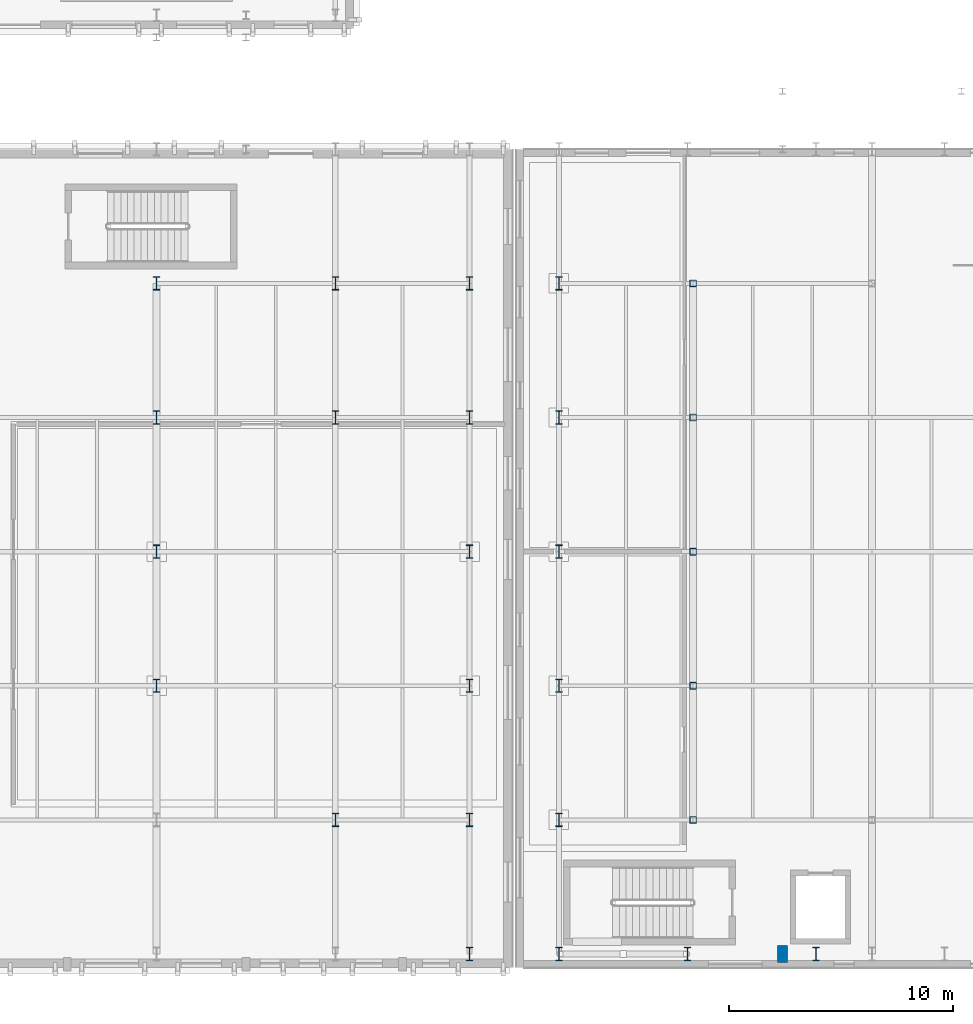
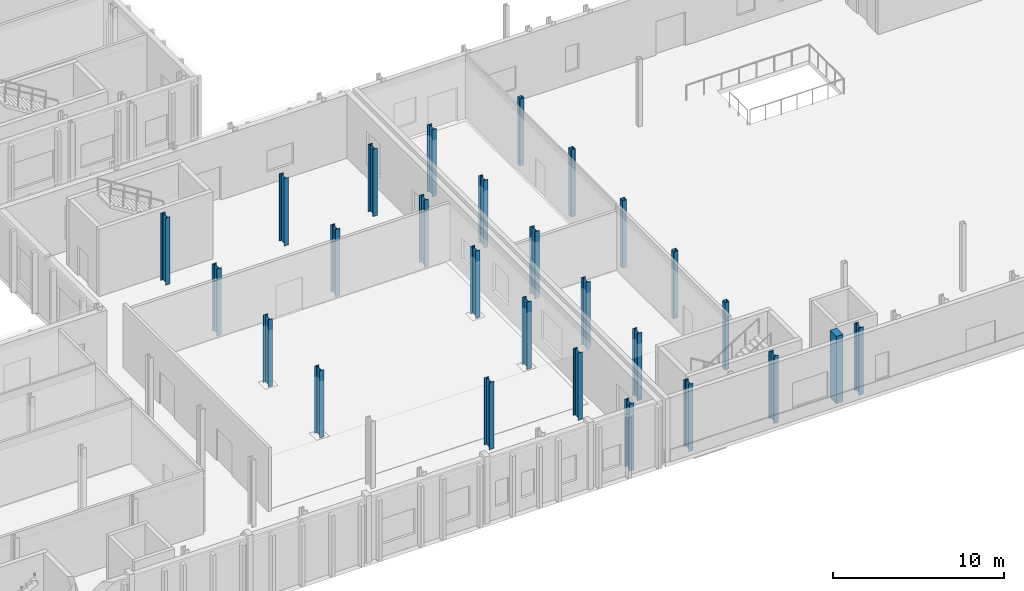
# One storey, part 2 of 60: 27 columns.
"""IFC4 building model written with IfcOpenShell, lengths in metres."""

import ifcopenshell
import ifcopenshell.guid

model = None  # the IFC model being written
_history = None  # IfcOwnerHistory: only IFC2X3 demands one
_inside = {}  # id of a spatial element -> (the spatial element, [elements in it])
_under = {}  # id of a project, library or spatial element -> (it, [spatial elements below it])
_declared = {}  # id of a project -> (the project, [libraries it declares])
_typed = {}  # id of a type object -> (the type object, [elements of that type])
_made_of = {}  # id of a material, layer set ... -> (it, [elements and type objects made of it])


def new_model(schema):
    """Start an empty IFC model of exactly this schema.

    Asked for "IFC4X3", IfcOpenShell would pick the latest addendum, in which some entities
    have other attributes; the version numbers below select the first issue.
    IFC2X3 requires an IfcOwnerHistory on every rooted entity: one is made here for all.
    """
    global model, _history
    if schema == "IFC4X3":
        model = ifcopenshell.file(schema_version=(4, 3, 0, 0))
    else:
        model = ifcopenshell.file(schema=schema)
    _inside.clear()
    _under.clear()
    _declared.clear()
    _typed.clear()
    _made_of.clear()
    _history = None
    if model.schema == "IFC2X3":
        org = make("IfcOrganization", Name="unknown")
        user = make(
            "IfcPersonAndOrganization",
            ThePerson=make("IfcPerson", FamilyName="unknown"),
            TheOrganization=org,
        )
        app = make(
            "IfcApplication",
            ApplicationDeveloper=org,
            Version="unknown",
            ApplicationFullName="unknown",
            ApplicationIdentifier="unknown",
        )
        _history = make(
            "IfcOwnerHistory",
            OwningUser=user,
            OwningApplication=app,
            ChangeAction="ADDED",
            CreationDate=0,
        )
    return model


def make(cls, **values):
    """One entity of the class cls with the attributes given. An attribute that is None is left unset."""
    return model.create_entity(
        cls, **{name: value for name, value in values.items() if value is not None}
    )


def rooted(cls, **values):
    """An entity with a GlobalId (a new one), such as an element, a storey or a relation."""
    return make(cls, GlobalId=ifcopenshell.guid.new(), OwnerHistory=_history, **values)


def si_unit(unit_type, name, prefix=None):
    """IfcSIUnit, for example si_unit("LENGTHUNIT", "METRE", prefix="MILLI")."""
    return make("IfcSIUnit", UnitType=unit_type, Prefix=prefix, Name=name)


def assignment(units):
    """IfcUnitAssignment: the units of a project."""
    return None if units is None else make("IfcUnitAssignment", Units=units)


def point(xyz):
    """IfcCartesianPoint."""
    return None if xyz is None else make("IfcCartesianPoint", Coordinates=xyz)


def direction(xyz):
    """IfcDirection."""
    return None if xyz is None else make("IfcDirection", DirectionRatios=xyz)


def frame(location, z_axis=None, x_axis=None):
    """IfcAxis2Placement3D, a coordinate frame: its origin and axes. An axis left out is left unset."""
    return make(
        "IfcAxis2Placement3D",
        Location=point(location),
        Axis=direction(z_axis),
        RefDirection=direction(x_axis),
    )


def frame_2d(location, x_axis=None):
    """IfcAxis2Placement2D, a coordinate frame in the plane: its origin and x axis."""
    return make(
        "IfcAxis2Placement2D", Location=point(location), RefDirection=direction(x_axis)
    )


def origin():
    """The frame at (0, 0, 0) with its axes left unset."""
    return frame((0.0, 0.0, 0.0))


def origin_2d():
    """The frame at (0, 0) in the plane with its x axis left unset."""
    return frame_2d((0.0, 0.0))


def place(relative_to, where):
    """IfcLocalPlacement: puts the frame where relative to a parent placement (None: the world)."""
    return make(
        "IfcLocalPlacement", PlacementRelTo=relative_to, RelativePlacement=where
    )


def context(
    kind, dimensions, precision=None, world=None, true_north=None, identifier=None
):
    """IfcGeometricRepresentationContext, for example the 3D "Model" context."""
    return make(
        "IfcGeometricRepresentationContext",
        ContextIdentifier=identifier,
        ContextType=kind,
        CoordinateSpaceDimension=dimensions,
        Precision=precision,
        WorldCoordinateSystem=world,
        TrueNorth=true_north,
    )


def subcontext(parent, identifier, kind, view, scale=None):
    """IfcGeometricRepresentationSubContext, for example "Body" below "Model"."""
    return make(
        "IfcGeometricRepresentationSubContext",
        ContextIdentifier=identifier,
        ContextType=kind,
        ParentContext=parent,
        TargetScale=scale,
        TargetView=view,
    )


def project(units=None, contexts=None):
    """IfcProject with its units and contexts."""
    return rooted(
        "IfcProject",
        Name="project",
        RepresentationContexts=contexts,
        UnitsInContext=assignment(units),
    )


def spatial(cls, under=None, at=None, **own):
    """A site, building, storey or space (cls), placed at a placement, below another one or the project."""
    s = rooted(cls, ObjectPlacement=at, **own)
    if under is not None:
        _under.setdefault(under.id(), (under, []))[1].append(s)
    return s


def profile(cls, at=None, kind="AREA", **sizes):
    """A parametric profile (cls). Its sizes go by their IFC names, for example OverallWidth=200.0."""
    return make(cls, ProfileType=kind, Position=at, **sizes)


def rectangle(**sizes):
    """IfcRectangleProfileDef."""
    return profile("IfcRectangleProfileDef", **sizes)


def hollow_rectangle(**sizes):
    """IfcRectangleHollowProfileDef."""
    return profile("IfcRectangleHollowProfileDef", **sizes)


def i_section(**sizes):
    """IfcIShapeProfileDef."""
    return profile("IfcIShapeProfileDef", **sizes)


def extrude(swept, where, along, depth):
    """IfcExtrudedAreaSolid: the profile swept, set in the frame where, extruded along a direction by depth."""
    return make(
        "IfcExtrudedAreaSolid",
        SweptArea=swept,
        Position=where,
        ExtrudedDirection=direction(along),
        Depth=depth,
    )


def shape(context_of_items, identifier, shape_type, items):
    """IfcShapeRepresentation: the items that make up one representation, for example the "Body"."""
    return make(
        "IfcShapeRepresentation",
        ContextOfItems=context_of_items,
        RepresentationIdentifier=identifier,
        RepresentationType=shape_type,
        Items=items,
    )


def material(Name=None, Category=None):
    """IfcMaterial."""
    return make("IfcMaterial", Name=Name, Category=Category)


def material_profile(
    of_material, cross_section, Name=None, Category=None, Priority=None
):
    """IfcMaterialProfile: a cross section and its material."""
    return make(
        "IfcMaterialProfile",
        Name=Name,
        Material=of_material,
        Profile=cross_section,
        Priority=Priority,
        Category=Category,
    )


def profile_set(profiles, Name=None, composite=None):
    """IfcMaterialProfileSet."""
    return make(
        "IfcMaterialProfileSet",
        Name=Name,
        MaterialProfiles=profiles,
        CompositeProfile=composite,
    )


def made_of(thing, what):
    """Note that an element or type object is made of a material, layer set ...; save() writes the relation."""
    if what is not None:
        _made_of.setdefault(what.id(), (what, []))[1].append(thing)
    return thing


def type_object(cls, material=None, **own):
    """A type object (cls), such as IfcWallType, which elements share."""
    return made_of(rooted(cls, **own), material)


def element(
    cls,
    number,
    at=None,
    inside=None,
    cuts=None,
    type_object=None,
    material=None,
    context=None,
    identifier="Body",
    shape_type=None,
    held_by="IfcProductDefinitionShape",
    body=None,
    shapes=None,
    **own,
):
    """One element of the class cls, such as IfcWall. Its Tag is "e" and its number.

    at: its placement. inside: the storey or other place that contains it. cuts: it is an
    opening in that element (IfcRelVoidsElement). A single representation is given by context,
    identifier, shape_type and body (its items); several are given by shapes. held_by: the class
    of the entity that holds the representations. save() writes the other relations.
    """
    e = rooted(cls, Tag="e%d" % number, ObjectPlacement=at, **own)
    if body is not None:
        shapes = [shape(context, identifier, shape_type, body)]
    if shapes is not None:
        e.Representation = make(held_by, Representations=shapes)
    if inside is not None:
        _inside.setdefault(inside.id(), (inside, []))[1].append(e)
    if cuts is not None:
        rooted(
            "IfcRelVoidsElement", RelatingBuildingElement=cuts, RelatedOpeningElement=e
        )
    if type_object is not None:
        _typed.setdefault(type_object.id(), (type_object, []))[1].append(e)
    return made_of(e, material)


def aggregate(whole, parts):
    """IfcRelAggregates: a whole, such as a stair, and the parts it consists of."""
    return rooted("IfcRelAggregates", RelatingObject=whole, RelatedObjects=parts)


def save(model, path):
    """Write the relations noted so far, then the file.

    IfcRelAggregates (storeys below a building ...), IfcRelContainedInSpatialStructure (elements
    in a storey), IfcRelDefinesByType, IfcRelAssociatesMaterial and IfcRelDeclares: one each for
    every whole, place, type object, material and project.
    """
    for whole, parts in _under.values():
        aggregate(whole, parts)
    for where, things in _inside.values():
        rooted(
            "IfcRelContainedInSpatialStructure",
            RelatedElements=things,
            RelatingStructure=where,
        )
    for kind, things in _typed.values():
        rooted("IfcRelDefinesByType", RelatedObjects=things, RelatingType=kind)
    for what, things in _made_of.values():
        rooted("IfcRelAssociatesMaterial", RelatedObjects=things, RelatingMaterial=what)
    for by, libraries in _declared.values():
        rooted("IfcRelDeclares", RelatingContext=by, RelatedDefinitions=libraries)
    model.write(path)


model = new_model("IFC4")

# Units and contexts
model_context = context("Model", 3, precision=1e-05, world=origin(), true_north=direction((0.0, 1.0)))
body_context = subcontext(model_context, "Body", "Model", "MODEL_VIEW")
ifc_project = project(units=[si_unit("LENGTHUNIT", "METRE"), si_unit("AREAUNIT", "SQUARE_METRE"), si_unit("VOLUMEUNIT", "CUBIC_METRE"), si_unit("PLANEANGLEUNIT", "RADIAN"), si_unit("MASSUNIT", "GRAM", prefix="KILO")], contexts=[model_context])

# Site, building, storey
site_placement = place(None, origin())
site = spatial("IfcSite", under=ifc_project, at=site_placement, CompositionType="ELEMENT")
building_placement = place(site_placement, origin())
building = spatial("IfcBuilding", under=site, at=building_placement, Name="Cymarion Research Institute", CompositionType="ELEMENT")
storey_placement = place(building_placement, origin())
storey = spatial("IfcBuildingStorey", under=building, at=storey_placement, Name="L00", CompositionType="ELEMENT", Elevation=0.0)

# Columns
ifc_material_1 = material(Name="Concrete C40/50", Category="concrete")
ifc_material_profile_1 = material_profile(ifc_material_1, rectangle(XDim=0.449951171875, YDim=0.75, at=origin_2d()), Name="RC 450x750")
ifc_profile_set_1 = profile_set([ifc_material_profile_1], Name="Concrete C40/50")
column_type_1 = type_object("IfcColumnType", Name="CONCRETE PILASTER PL03 RC 450x750", PredefinedType="PILASTER", material=ifc_profile_set_1)
column_placement = place(storey_placement, frame((66.60009765625, 5.5, 0.0), z_axis=(0.0, 0.0, 1.0), x_axis=(1.0, 0.0, 0.0)))
element("IfcColumn", 1, at=column_placement, inside=storey, type_object=column_type_1, Name="L00 V2 column PL03 #355", PredefinedType="PILASTER", context=body_context, shape_type="SweptSolid", body=[
    extrude(rectangle(XDim=0.449951171875, YDim=0.75, at=origin_2d()), origin(), (0.0, 0.0, 1.0), 4.800048828125),
])
ifc_material_2 = material(Name="Steel S355", Category="steel")
ifc_material_profile_2 = material_profile(ifc_material_2, i_section(OverallWidth=0.300048828125, OverallDepth=0.60009765625, WebThickness=0.015380859375, FlangeThickness=0.030029296875, FilletRadius=0.027099609375, at=origin_2d()), Name="HEB 600")
ifc_profile_set_2 = profile_set([ifc_material_profile_2], Name="Steel S355")
column_type_2 = type_object("IfcColumnType", Name="STRUCTURAL COLUMN C02 HEB 600", PredefinedType="COLUMN", material=ifc_profile_set_2)
for number, where, z_axis, x_axis, name in (
    (2, (38.60009765625, 17.5, 0.0), (0.0, 0.0, 1.0), (1.0, 0.0, 0.0), "L00 V3 column C02 #300"),
    (3, (38.60009765625, 23.5, 0.0), (0.0, 0.0, 1.0), (1.0, 0.0, 0.0), "L00 V3 column C02 #301"),
    (4, (38.60009765625, 29.5, 0.0), (0.0, 0.0, 1.0), (1.0, 0.0, 0.0), "L00 V3 column C02 #302"),
    (5, (38.60009765625, 35.5, 0.0), (0.0, 0.0, 1.0), (1.0, 0.0, 0.0), "L00 V3 column C02 #303"),
    (6, (46.60009765625, 11.5, 0.0), (0.0, 0.0, 1.0), (1.0, 0.0, 0.0), "L00 V3 column C02 #321"),
    (7, (46.60009765625, 29.5, 0.0), (0.0, 0.0, 1.0), (1.0, 0.0, 0.0), "L00 V3 column C02 #322"),
    (8, (46.60009765625, 35.5, 0.0), (0.0, 0.0, 1.0), (1.0, 0.0, 0.0), "L00 V3 column C02 #323"),
    (9, (52.60009765625, 5.5, 0.0), (0.0, 0.0, 1.0), (1.0, 0.0, 0.0), "L00 V3 column C02 #334"),
    (10, (52.60009765625, 11.5, 0.0), (0.0, 0.0, 1.0), (1.0, 0.0, 0.0), "L00 V3 column C02 #335"),
    (11, (52.60009765625, 17.5, 0.0), (0.0, 0.0, 1.0), (1.0, 0.0, 0.0), "L00 V3 column C02 #336"),
    (12, (52.60009765625, 23.5, 0.0), (0.0, 0.0, 1.0), (1.0, 0.0, 0.0), "L00 V3 column C02 #337"),
    (13, (52.60009765625, 29.5, 0.0), (0.0, 0.0, 1.0), (1.0, 0.0, 0.0), "L00 V3 column C02 #338"),
    (14, (52.60009765625, 35.5, 0.0), (0.0, 0.0, 1.0), (1.0, 0.0, 0.0), "L00 V3 column C02 #339"),
    (15, (56.60009765625, 5.5, 0.0), (0.0, 0.0, 1.0), (1.0, 0.0, 0.0), "L00 V2 column C02 #341"),
    (16, (56.60009765625, 11.5, 0.0), (0.0, 0.0, 1.0), (1.0, 0.0, 0.0), "L00 V2 column C02 #342"),
    (17, (56.60009765625, 17.5, 0.0), (0.0, 0.0, 1.0), (1.0, 0.0, 0.0), "L00 V2 column C02 #343"),
    (18, (56.60009765625, 23.5, 0.0), (0.0, 0.0, 1.0), (1.0, 0.0, 0.0), "L00 V2 column C02 #344"),
    (19, (56.60009765625, 29.5, 0.0), (0.0, 0.0, 1.0), (1.0, 0.0, 0.0), "L00 V2 column C02 #345"),
    (20, (56.60009765625, 35.5, 0.0), (0.0, 0.0, 1.0), (1.0, 0.0, 0.0), "L00 V2 column C02 #346"),
    (21, (62.35009765625, 5.5, 0.0), (0.0, 0.0, 1.0), (1.0, 0.0, 0.0), "L00 V2 column C02 #348"),
    (22, (68.10009765625, 5.5, 0.0), (0.0, 0.0, 1.0), (1.0, 0.0, 0.0), "L00 V2 column C02 #358"),
):
    element("IfcColumn", number, at=place(storey_placement, frame(where, z_axis=z_axis, x_axis=x_axis)), inside=storey, type_object=column_type_2, Name=name, PredefinedType="COLUMN", context=body_context, shape_type="SweptSolid", body=[
        extrude(i_section(OverallWidth=0.300048828125, OverallDepth=0.60009765625, WebThickness=0.015380859375, FlangeThickness=0.030029296875, FilletRadius=0.027099609375, at=origin_2d()), origin(), (0.0, 0.0, 1.0), 4.800048828125),
    ])
ifc_material_profile_3 = material_profile(ifc_material_2, hollow_rectangle(XDim=0.300048828125, YDim=0.300048828125, WallThickness=0.012451171875, InnerFilletRadius=0.018798828125, OuterFilletRadius=0.03125, at=origin_2d()), Name="SHS 300x300x12.5")
ifc_profile_set_3 = profile_set([ifc_material_profile_3], Name="Steel S355")
column_type_3 = type_object("IfcColumnType", Name="STRUCTURAL COLUMN C14 SHS 300x300x12.5", PredefinedType="COLUMN", material=ifc_profile_set_3)
for number, where, z_axis, x_axis, name in (
    (23, (62.60009765625, 11.5, 0.0), (0.0, 0.0, 1.0), (1.0, 0.0, 0.0), "L00 V2 column C14 #350"),
    (24, (62.60009765625, 17.5, 0.0), (0.0, 0.0, 1.0), (1.0, 0.0, 0.0), "L00 V2 column C14 #351"),
    (25, (62.60009765625, 23.5, 0.0), (0.0, 0.0, 1.0), (1.0, 0.0, 0.0), "L00 V2 column C14 #352"),
    (26, (62.60009765625, 29.5, 0.0), (0.0, 0.0, 1.0), (1.0, 0.0, 0.0), "L00 V2 column C14 #353"),
    (27, (62.60009765625, 35.5, 0.0), (0.0, 0.0, 1.0), (1.0, 0.0, 0.0), "L00 V2 column C14 #354"),
):
    element("IfcColumn", number, at=place(storey_placement, frame(where, z_axis=z_axis, x_axis=x_axis)), inside=storey, type_object=column_type_3, Name=name, PredefinedType="COLUMN", context=body_context, shape_type="SweptSolid", body=[
        extrude(hollow_rectangle(XDim=0.300048828125, YDim=0.300048828125, WallThickness=0.012451171875, InnerFilletRadius=0.018798828125, OuterFilletRadius=0.03125, at=origin_2d()), origin(), (0.0, 0.0, 1.0), 4.800048828125),
    ])

save(model, "model.ifc")
